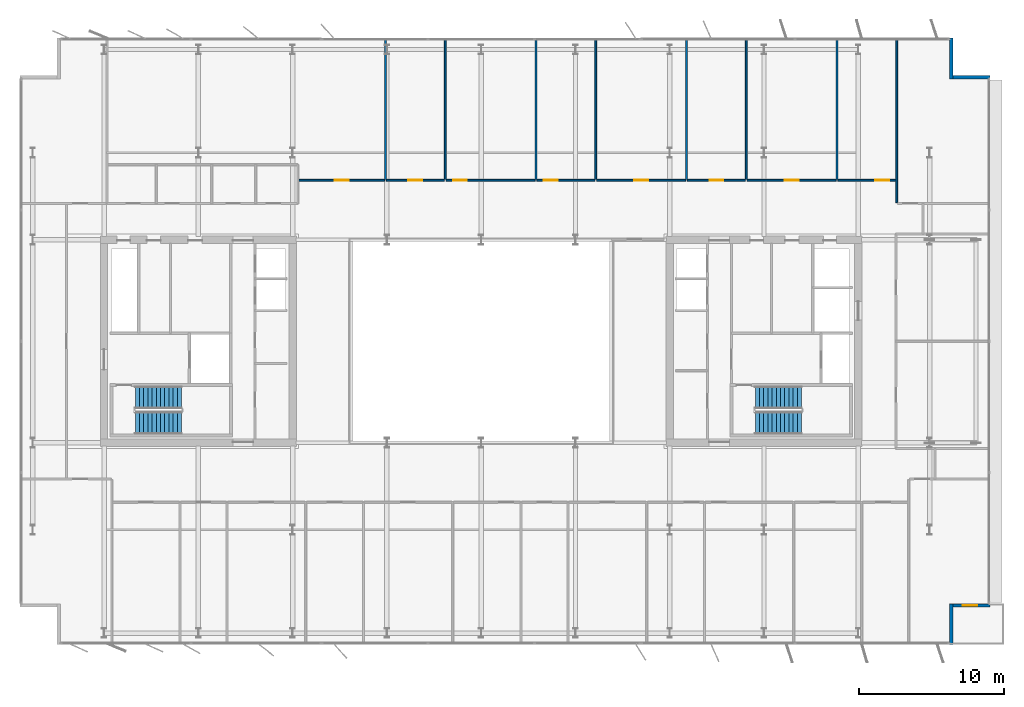
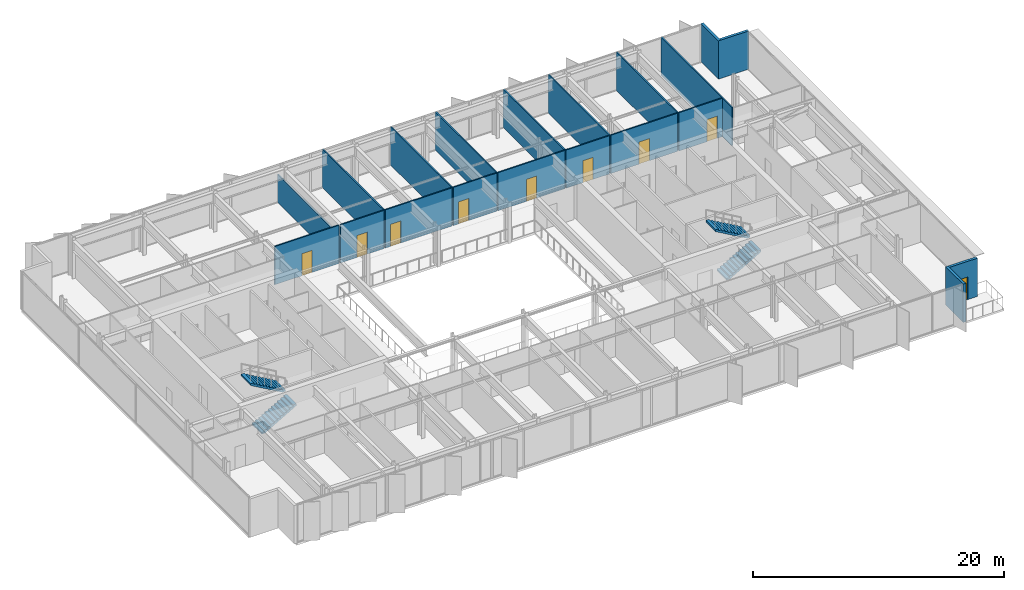
# One storey, part 16 of 20: 20 walls, 9 doors, 4 stair flights, 9 openings, 2 elements without a shape of their own.
"""IFC4 building model written with IfcOpenShell, lengths in metres."""

from ifc_helpers import new_model, si_unit, direction, frame, frame_2d, origin, place, context, subcontext, project, spatial, polyline, rectangle, outline, extrude, material, layer, layer_set, type_object, element, fill, aggregate, save


model = new_model("IFC4")

# Units and contexts
model_context = context("Model", 3, precision=1e-05, world=origin(), true_north=direction((0.0, 1.0)))
body_context = subcontext(model_context, "Body", "Model", "MODEL_VIEW")
ifc_project = project(units=[si_unit("LENGTHUNIT", "METRE"), si_unit("AREAUNIT", "SQUARE_METRE"), si_unit("VOLUMEUNIT", "CUBIC_METRE"), si_unit("PLANEANGLEUNIT", "RADIAN"), si_unit("MASSUNIT", "GRAM", prefix="KILO")], contexts=[model_context])

# Site, building, storey
site_placement = place(None, origin())
site = spatial("IfcSite", under=ifc_project, at=site_placement, CompositionType="ELEMENT")
building_placement = place(site_placement, origin())
building = spatial("IfcBuilding", under=site, at=building_placement, Name="Putna Gate Headquarters", CompositionType="ELEMENT")
storey_placement = place(building_placement, frame((0.0, 0.0, 306.39990234375)))
storey = spatial("IfcBuildingStorey", under=building, at=storey_placement, Name="L77", CompositionType="ELEMENT", Elevation=306.39990234375)

# Walls
ifc_material_1 = material(Name="Precast concrete C40/50", Category="concrete")
ifc_layer_1 = layer(ifc_material_1, 0.239990234375)
ifc_layer_set_1 = layer_set([ifc_layer_1], Name="Precast concrete C40/50")
wall_type_1 = type_object("IfcWallType", Name="WALL-EXT-TERR-240", PredefinedType="STANDARD", material=ifc_layer_set_1)
wall_1_placement = place(storey_placement, frame((71.419921875, 46.89990234375, 0.0), z_axis=(0.0, 0.0, 1.0), x_axis=(0.0, -1.0, 0.0)))
element("IfcWall", 1, at=wall_1_placement, inside=storey, type_object=wall_type_1, Name="L77 Corner Notch Return Wall NE-V", PredefinedType="STANDARD", context=body_context, shape_type="SweptSolid", body=[
    extrude(rectangle(XDim=2.7998046875, YDim=0.239990234375, at=frame_2d((1.39990234375, 0.0))), origin(), (0.0, 0.0, 1.0), 3.72021484375),
])
wall_2_placement = place(storey_placement, frame((71.300048828125, 44.219970703125, 0.0), z_axis=(0.0, 0.0, 1.0), x_axis=(1.0, 0.0, 0.0)))
element("IfcWall", 2, at=wall_2_placement, inside=storey, type_object=wall_type_1, Name="L77 Corner Notch Return Wall NE-H", PredefinedType="STANDARD", context=body_context, shape_type="SweptSolid", body=[
    extrude(rectangle(XDim=2.800048828125, YDim=0.239990234375, at=frame_2d((1.39990234375, 0.0))), origin(), (0.0, 0.0, 1.0), 3.72021484375),
])
wall_3_placement = place(storey_placement, frame((71.419921875, 7.89990234375, 0.0), z_axis=(0.0, 0.0, 1.0), x_axis=(0.0, -1.0, 0.0)))
element("IfcWall", 3, at=wall_3_placement, inside=storey, type_object=wall_type_1, Name="L77 Corner Notch Return Wall SE-V", PredefinedType="STANDARD", context=body_context, shape_type="SweptSolid", body=[
    extrude(rectangle(XDim=2.7998046875, YDim=0.239990234375, at=frame_2d((1.39990234375, 0.0))), origin(), (0.0, 0.0, 1.0), 3.72021484375),
])

# Wall, opening, door
wall_4_placement = place(storey_placement, frame((74.10009765625, 7.780029296875, 0.0), z_axis=(0.0, 0.0, 1.0), x_axis=(-1.0, 0.0, 0.0)))
wall_4 = element("IfcWall", 4, at=wall_4_placement, inside=storey, type_object=wall_type_1, Name="L77 Corner Notch Return Wall SE-H", PredefinedType="STANDARD", context=body_context, shape_type="SweptSolid", body=[
    extrude(rectangle(XDim=2.800048828125, YDim=0.239990234375, at=frame_2d((1.39990234375, 0.0))), origin(), (0.0, 0.0, 1.0), 3.72021484375),
])
opening_1_placement = place(wall_4_placement, frame((0.89990234375, 0.0, 0.0)))
opening_1 = element("IfcOpeningElement", 5, at=opening_1_placement, cuts=wall_4, Name="Opening TRD-1", PredefinedType="OPENING", context=body_context, shape_type="SweptSolid", body=[
    extrude(rectangle(XDim=1.0, YDim=2.199951171875, at=frame_2d((0.5, 1.10009765625))), frame((0.0, 0.1298828125, 0.0), z_axis=(0.0, -1.0, 0.0), x_axis=(1.0, 0.0, 0.0)), (0.0, 0.0, 1.0), 0.260009765625),
])
ifc_material_2 = material(Name="Thermally broken bronze glazed terrace door")
door_type_1 = type_object("IfcDoorType", Name="DOOR-TERR-EXT-1000", OperationType="NOTDEFINED", PredefinedType="DOOR", material=ifc_material_2)
door_1_placement = place(opening_1_placement, origin())
door_1 = element("IfcDoor", 6, at=door_1_placement, inside=storey, type_object=door_type_1, Name="L77 Spiral Sky Terrace Door SE", OperationType="SINGLE_SWING_RIGHT", OverallHeight=2.199951171875, OverallWidth=1.0, PredefinedType="DOOR", context=body_context, shape_type="SweptSolid", body=[
    extrude(rectangle(XDim=1.0, YDim=2.199951171875, at=frame_2d((0.5, 1.10009765625))), frame((0.0, 0.02490234375, 0.0), z_axis=(0.0, -1.0, 0.0), x_axis=(1.0, 0.0, 0.0)), (0.0, 0.0, 1.0), 0.050048828125),
])
fill(opening_1, door_1)

# Walls
ifc_material_3 = material(Name="Acoustic gypsum board on metal stud")
ifc_layer_2 = layer(ifc_material_3, 0.1201171875)
ifc_layer_set_2 = layer_set([ifc_layer_2], Name="Acoustic gypsum board on metal stud")
wall_type_2 = type_object("IfcWallType", Name="WALL-PART-120", PredefinedType="PARTITIONING", material=ifc_layer_set_2)
wall_5_placement = place(storey_placement, frame((32.39990234375, 37.159912109375, 0.0), z_axis=(0.0, 0.0, 1.0), x_axis=(0.0, 1.0, 0.0)))
element("IfcWall", 7, at=wall_5_placement, inside=storey, type_object=wall_type_2, Name="L77 Interior Wall PART-L77-NB-DIV-02", PredefinedType="PARTITIONING", context=body_context, shape_type="SweptSolid", body=[
    extrude(rectangle(XDim=9.719970703125, YDim=0.1201171875, at=frame_2d((4.85986328125, 0.0))), origin(), (0.0, 0.0, 1.0), 2.712158203125),
])
for number, where, z_axis, x_axis, name in (
    (8, (36.521484375, 37.159912109375, 0.0), (0.0, 0.0, 1.0), (0.0, 1.0, 0.0), "L77 Interior Wall PART-L77-NB-DIV-03"),
    (9, (42.780029296875, 37.159912109375, 0.0), (0.0, 0.0, 1.0), (0.0, 1.0, 0.0), "L77 Interior Wall PART-L77-NB-DIV-04"),
    (10, (46.901611328125, 37.159912109375, 0.0), (0.0, 0.0, 1.0), (0.0, 1.0, 0.0), "L77 Interior Wall PART-L77-NB-DIV-05"),
    (11, (53.159912109375, 37.159912109375, 0.0), (0.0, 0.0, 1.0), (0.0, 1.0, 0.0), "L77 Interior Wall PART-L77-NB-DIV-06"),
    (12, (57.281494140625, 37.159912109375, 0.0), (0.0, 0.0, 1.0), (0.0, 1.0, 0.0), "L77 Interior Wall PART-L77-NB-DIV-07"),
    (13, (63.5400390625, 37.159912109375, 0.0), (0.0, 0.0, 1.0), (0.0, 1.0, 0.0), "L77 Interior Wall PART-L77-NB-DIV-08"),
):
    element("IfcWall", number, at=place(storey_placement, frame(where, z_axis=z_axis, x_axis=x_axis)), inside=storey, type_object=wall_type_2, Name=name, PredefinedType="PARTITIONING", context=body_context, shape_type="SweptSolid", body=[
        extrude(rectangle(XDim=9.719970703125, YDim=0.1201171875, at=frame_2d((4.85986328125, 0.0))), origin(), (0.0, 0.0, 1.0), 3.72021484375),
    ])
wall_6_placement = place(storey_placement, frame((67.66162109375, 35.56005859375, 0.0), z_axis=(0.0, 0.0, 1.0), x_axis=(0.0, 1.0, 0.0)))
element("IfcWall", 14, at=wall_6_placement, inside=storey, type_object=wall_type_2, Name="L77 Interior Wall PART-L77-NB-DIV-09", PredefinedType="PARTITIONING", context=body_context, shape_type="SweptSolid", body=[
    extrude(rectangle(XDim=11.31982421875, YDim=0.1201171875, at=frame_2d((5.659912109375, 0.0))), origin(), (0.0, 0.0, 1.0), 3.72021484375),
])

# Wall, opening, door
ifc_material_4 = material(Name="Fire-rated gypsum board on metal stud")
ifc_layer_3 = layer(ifc_material_4, 0.1201171875)
ifc_layer_set_3 = layer_set([ifc_layer_3], Name="Fire-rated gypsum board on metal stud")
wall_type_3 = type_object("IfcWallType", Name="WALL-PART-120-RATED", PredefinedType="PARTITIONING", material=ifc_layer_set_3)
wall_7_placement = place(storey_placement, frame((26.419921875, 37.10009765625, 0.0), z_axis=(0.0, 0.0, 1.0), x_axis=(1.0, 0.0, 0.0)))
wall_7 = element("IfcWall", 15, at=wall_7_placement, inside=storey, type_object=wall_type_3, Name="L77 Interior Wall PART-L77-NB-CW-02", PredefinedType="PARTITIONING", context=body_context, shape_type="SweptSolid", body=[
    extrude(rectangle(XDim=5.920166015625, YDim=0.1201171875, at=frame_2d((2.9599609375, 0.0))), origin(), (0.0, 0.0, 1.0), 3.72021484375),
])
opening_2_placement = place(wall_7_placement, frame((2.485107421875, 0.0, 0.0)))
opening_2 = element("IfcOpeningElement", 16, at=opening_2_placement, cuts=wall_7, Name="Opening FD-95", PredefinedType="OPENING", context=body_context, shape_type="SweptSolid", body=[
    extrude(rectangle(XDim=0.949951171875, YDim=2.14990234375, at=frame_2d((0.47509765625, 1.074951171875))), frame((0.0, 0.070068359375, 0.0), z_axis=(0.0, -1.0, 0.0), x_axis=(1.0, 0.0, 0.0)), (0.0, 0.0, 1.0), 0.14013671875),
])
ifc_material_5 = material(Name="Acoustic timber fire door", Category="wood")
door_type_2 = type_object("IfcDoorType", Name="DOOR-FIRE-950", OperationType="NOTDEFINED", PredefinedType="DOOR", material=ifc_material_5)
door_2_placement = place(opening_2_placement, origin())
door_2 = element("IfcDoor", 17, at=door_2_placement, inside=storey, type_object=door_type_2, Name="L77 Primary Open Office Workplace Door", OperationType="SINGLE_SWING_LEFT", OverallHeight=2.14990234375, OverallWidth=0.949951171875, PredefinedType="DOOR", context=body_context, shape_type="SweptSolid", body=[
    extrude(rectangle(XDim=0.949951171875, YDim=2.14990234375, at=frame_2d((0.47509765625, 1.074951171875))), frame((0.0, 0.02490234375, 0.0), z_axis=(0.0, -1.0, 0.0), x_axis=(1.0, 0.0, 0.0)), (0.0, 0.0, 1.0), 0.050048828125),
])
fill(opening_2, door_2)

wall_8_placement = place(storey_placement, frame((32.4599609375, 37.10009765625, 0.0), z_axis=(0.0, 0.0, 1.0), x_axis=(1.0, 0.0, 0.0)))
wall_8 = element("IfcWall", 18, at=wall_8_placement, inside=storey, type_object=wall_type_3, Name="L77 Interior Wall PART-L77-NB-CW-03", PredefinedType="PARTITIONING", context=body_context, shape_type="SweptSolid", body=[
    extrude(rectangle(XDim=4.00146484375, YDim=0.1201171875, at=frame_2d((2.000732421875, 0.0))), origin(), (0.0, 0.0, 1.0), 3.72021484375),
])
opening_3_placement = place(wall_8_placement, frame((1.52587890625, 0.0, 0.0)))
opening_3 = element("IfcOpeningElement", 19, at=opening_3_placement, cuts=wall_8, Name="Opening FD-95", PredefinedType="OPENING", context=body_context, shape_type="SweptSolid", body=[
    extrude(rectangle(XDim=0.949951171875, YDim=2.14990234375, at=frame_2d((0.47509765625, 1.074951171875))), frame((0.0, 0.070068359375, 0.0), z_axis=(0.0, -1.0, 0.0), x_axis=(1.0, 0.0, 0.0)), (0.0, 0.0, 1.0), 0.14013671875),
])
door_3_placement = place(opening_3_placement, origin())
door_3 = element("IfcDoor", 20, at=door_3_placement, inside=storey, type_object=door_type_2, Name="L77 Cellular Office 8 Door", OperationType="SINGLE_SWING_RIGHT", OverallHeight=2.14990234375, OverallWidth=0.949951171875, PredefinedType="DOOR", context=body_context, shape_type="SweptSolid", body=[
    extrude(rectangle(XDim=0.949951171875, YDim=2.14990234375, at=frame_2d((0.47509765625, 1.074951171875))), frame((0.0, 0.02490234375, 0.0), z_axis=(0.0, -1.0, 0.0), x_axis=(1.0, 0.0, 0.0)), (0.0, 0.0, 1.0), 0.050048828125),
])
fill(opening_3, door_3)

wall_9_placement = place(storey_placement, frame((36.58154296875, 37.10009765625, 0.0), z_axis=(0.0, 0.0, 1.0), x_axis=(1.0, 0.0, 0.0)))
wall_9 = element("IfcWall", 21, at=wall_9_placement, inside=storey, type_object=wall_type_3, Name="L77 Interior Wall PART-L77-NB-CW-04", PredefinedType="PARTITIONING", context=body_context, shape_type="SweptSolid", body=[
    extrude(rectangle(XDim=6.138427734375, YDim=0.1201171875, at=frame_2d((3.0693359375, 0.0))), origin(), (0.0, 0.0, 1.0), 3.72021484375),
])
opening_4_placement = place(wall_9_placement, frame((0.47998046875, 0.0, 0.0)))
opening_4 = element("IfcOpeningElement", 22, at=opening_4_placement, cuts=wall_9, Name="Opening FD-95", PredefinedType="OPENING", context=body_context, shape_type="SweptSolid", body=[
    extrude(rectangle(XDim=0.949951171875, YDim=2.14990234375, at=frame_2d((0.47509765625, 1.074951171875))), frame((0.0, 0.070068359375, 0.0), z_axis=(0.0, -1.0, 0.0), x_axis=(1.0, 0.0, 0.0)), (0.0, 0.0, 1.0), 0.14013671875),
])
door_4_placement = place(opening_4_placement, origin())
door_4 = element("IfcDoor", 23, at=door_4_placement, inside=storey, type_object=door_type_2, Name="L77 Cellular Office 9 Door", OperationType="SINGLE_SWING_LEFT", OverallHeight=2.14990234375, OverallWidth=0.949951171875, PredefinedType="DOOR", context=body_context, shape_type="SweptSolid", body=[
    extrude(rectangle(XDim=0.949951171875, YDim=2.14990234375, at=frame_2d((0.47509765625, 1.074951171875))), frame((0.0, 0.02490234375, 0.0), z_axis=(0.0, -1.0, 0.0), x_axis=(1.0, 0.0, 0.0)), (0.0, 0.0, 1.0), 0.050048828125),
])
fill(opening_4, door_4)

wall_10_placement = place(storey_placement, frame((42.840087890625, 37.10009765625, 0.0), z_axis=(0.0, 0.0, 1.0), x_axis=(1.0, 0.0, 0.0)))
wall_10 = element("IfcWall", 24, at=wall_10_placement, inside=storey, type_object=wall_type_3, Name="L77 Interior Wall PART-L77-NB-CW-05", PredefinedType="PARTITIONING", context=body_context, shape_type="SweptSolid", body=[
    extrude(rectangle(XDim=4.00146484375, YDim=0.1201171875, at=frame_2d((2.000732421875, 0.0))), origin(), (0.0, 0.0, 1.0), 3.72021484375),
])
opening_5_placement = place(wall_10_placement, frame((0.47998046875, 0.0, 0.0)))
opening_5 = element("IfcOpeningElement", 25, at=opening_5_placement, cuts=wall_10, Name="Opening FD-95", PredefinedType="OPENING", context=body_context, shape_type="SweptSolid", body=[
    extrude(rectangle(XDim=0.949951171875, YDim=2.14990234375, at=frame_2d((0.47509765625, 1.074951171875))), frame((0.0, 0.070068359375, 0.0), z_axis=(0.0, -1.0, 0.0), x_axis=(1.0, 0.0, 0.0)), (0.0, 0.0, 1.0), 0.14013671875),
])
door_5_placement = place(opening_5_placement, origin())
door_5 = element("IfcDoor", 26, at=door_5_placement, inside=storey, type_object=door_type_2, Name="L77 Conference Meeting Room 1 Door", OperationType="SINGLE_SWING_RIGHT", OverallHeight=2.14990234375, OverallWidth=0.949951171875, PredefinedType="DOOR", context=body_context, shape_type="SweptSolid", body=[
    extrude(rectangle(XDim=0.949951171875, YDim=2.14990234375, at=frame_2d((0.47509765625, 1.074951171875))), frame((0.0, 0.02490234375, 0.0), z_axis=(0.0, -1.0, 0.0), x_axis=(1.0, 0.0, 0.0)), (0.0, 0.0, 1.0), 0.050048828125),
])
fill(opening_5, door_5)

wall_11_placement = place(storey_placement, frame((46.96142578125, 37.10009765625, 0.0), z_axis=(0.0, 0.0, 1.0), x_axis=(1.0, 0.0, 0.0)))
wall_11 = element("IfcWall", 27, at=wall_11_placement, inside=storey, type_object=wall_type_3, Name="L77 Interior Wall PART-L77-NB-CW-06", PredefinedType="PARTITIONING", context=body_context, shape_type="SweptSolid", body=[
    extrude(rectangle(XDim=6.138671875, YDim=0.1201171875, at=frame_2d((3.0693359375, 0.0))), origin(), (0.0, 0.0, 1.0), 3.72021484375),
])
opening_6_placement = place(wall_11_placement, frame((2.59423828125, 0.0, 0.0)))
opening_6 = element("IfcOpeningElement", 28, at=opening_6_placement, cuts=wall_11, Name="Opening FD-95", PredefinedType="OPENING", context=body_context, shape_type="SweptSolid", body=[
    extrude(rectangle(XDim=0.949951171875, YDim=2.14990234375, at=frame_2d((0.47509765625, 1.074951171875))), frame((0.0, 0.070068359375, 0.0), z_axis=(0.0, -1.0, 0.0), x_axis=(1.0, 0.0, 0.0)), (0.0, 0.0, 1.0), 0.14013671875),
])
door_6_placement = place(opening_6_placement, origin())
door_6 = element("IfcDoor", 29, at=door_6_placement, inside=storey, type_object=door_type_2, Name="L77 Conference Meeting Room 2 Door", OperationType="SINGLE_SWING_LEFT", OverallHeight=2.14990234375, OverallWidth=0.949951171875, PredefinedType="DOOR", context=body_context, shape_type="SweptSolid", body=[
    extrude(rectangle(XDim=0.949951171875, YDim=2.14990234375, at=frame_2d((0.47509765625, 1.074951171875))), frame((0.0, 0.02490234375, 0.0), z_axis=(0.0, -1.0, 0.0), x_axis=(1.0, 0.0, 0.0)), (0.0, 0.0, 1.0), 0.050048828125),
])
fill(opening_6, door_6)

wall_12_placement = place(storey_placement, frame((53.219970703125, 37.10009765625, 0.0), z_axis=(0.0, 0.0, 1.0), x_axis=(1.0, 0.0, 0.0)))
wall_12 = element("IfcWall", 30, at=wall_12_placement, inside=storey, type_object=wall_type_3, Name="L77 Interior Wall PART-L77-NB-CW-07", PredefinedType="PARTITIONING", context=body_context, shape_type="SweptSolid", body=[
    extrude(rectangle(XDim=4.00146484375, YDim=0.1201171875, at=frame_2d((2.000732421875, 0.0))), origin(), (0.0, 0.0, 1.0), 3.72021484375),
])
opening_7_placement = place(wall_12_placement, frame((1.525634765625, 0.0, 0.0)))
opening_7 = element("IfcOpeningElement", 31, at=opening_7_placement, cuts=wall_12, Name="Opening FD-95", PredefinedType="OPENING", context=body_context, shape_type="SweptSolid", body=[
    extrude(rectangle(XDim=0.949951171875, YDim=2.14990234375, at=frame_2d((0.47509765625, 1.074951171875))), frame((0.0, 0.070068359375, 0.0), z_axis=(0.0, -1.0, 0.0), x_axis=(1.0, 0.0, 0.0)), (0.0, 0.0, 1.0), 0.14013671875),
])
door_7_placement = place(opening_7_placement, origin())
door_7 = element("IfcDoor", 32, at=door_7_placement, inside=storey, type_object=door_type_2, Name="L77 Conference Meeting Room 3 Door", OperationType="SINGLE_SWING_RIGHT", OverallHeight=2.14990234375, OverallWidth=0.949951171875, PredefinedType="DOOR", context=body_context, shape_type="SweptSolid", body=[
    extrude(rectangle(XDim=0.949951171875, YDim=2.14990234375, at=frame_2d((0.47509765625, 1.074951171875))), frame((0.0, 0.02490234375, 0.0), z_axis=(0.0, -1.0, 0.0), x_axis=(1.0, 0.0, 0.0)), (0.0, 0.0, 1.0), 0.050048828125),
])
fill(opening_7, door_7)

wall_13_placement = place(storey_placement, frame((57.341552734375, 37.10009765625, 0.0), z_axis=(0.0, 0.0, 1.0), x_axis=(1.0, 0.0, 0.0)))
wall_13 = element("IfcWall", 33, at=wall_13_placement, inside=storey, type_object=wall_type_3, Name="L77 Interior Wall PART-L77-NB-CW-08", PredefinedType="PARTITIONING", context=body_context, shape_type="SweptSolid", body=[
    extrude(rectangle(XDim=6.138427734375, YDim=0.1201171875, at=frame_2d((3.0693359375, 0.0))), origin(), (0.0, 0.0, 1.0), 3.72021484375),
])
opening_8_placement = place(wall_13_placement, frame((2.59423828125, 0.0, 0.0)))
opening_8 = element("IfcOpeningElement", 34, at=opening_8_placement, cuts=wall_13, Name="Opening FD-95", PredefinedType="OPENING", context=body_context, shape_type="SweptSolid", body=[
    extrude(rectangle(XDim=0.949951171875, YDim=2.14990234375, at=frame_2d((0.47509765625, 1.074951171875))), frame((0.0, 0.070068359375, 0.0), z_axis=(0.0, -1.0, 0.0), x_axis=(1.0, 0.0, 0.0)), (0.0, 0.0, 1.0), 0.14013671875),
])
door_8_placement = place(opening_8_placement, origin())
door_8 = element("IfcDoor", 35, at=door_8_placement, inside=storey, type_object=door_type_2, Name="L77 Conference Meeting Room 4 Door", OperationType="SINGLE_SWING_LEFT", OverallHeight=2.14990234375, OverallWidth=0.949951171875, PredefinedType="DOOR", context=body_context, shape_type="SweptSolid", body=[
    extrude(rectangle(XDim=0.949951171875, YDim=2.14990234375, at=frame_2d((0.47509765625, 1.074951171875))), frame((0.0, 0.02490234375, 0.0), z_axis=(0.0, -1.0, 0.0), x_axis=(1.0, 0.0, 0.0)), (0.0, 0.0, 1.0), 0.050048828125),
])
fill(opening_8, door_8)

wall_14_placement = place(storey_placement, frame((63.60009765625, 37.10009765625, 0.0), z_axis=(0.0, 0.0, 1.0), x_axis=(1.0, 0.0, 0.0)))
wall_14 = element("IfcWall", 36, at=wall_14_placement, inside=storey, type_object=wall_type_3, Name="L77 Interior Wall PART-L77-NB-CW-09", PredefinedType="PARTITIONING", context=body_context, shape_type="SweptSolid", body=[
    extrude(rectangle(XDim=4.00146484375, YDim=0.1201171875, at=frame_2d((2.000732421875, 0.0))), origin(), (0.0, 0.0, 1.0), 3.72021484375),
])
opening_9_placement = place(wall_14_placement, frame((2.571533203125, 0.0, 0.0)))
opening_9 = element("IfcOpeningElement", 37, at=opening_9_placement, cuts=wall_14, Name="Opening FD-95", PredefinedType="OPENING", context=body_context, shape_type="SweptSolid", body=[
    extrude(rectangle(XDim=0.949951171875, YDim=2.14990234375, at=frame_2d((0.47509765625, 1.074951171875))), frame((0.0, 0.070068359375, 0.0), z_axis=(0.0, -1.0, 0.0), x_axis=(1.0, 0.0, 0.0)), (0.0, 0.0, 1.0), 0.14013671875),
])
door_9_placement = place(opening_9_placement, origin())
door_9 = element("IfcDoor", 38, at=door_9_placement, inside=storey, type_object=door_type_2, Name="L77 Conference Meeting Room 5 Door", OperationType="SINGLE_SWING_RIGHT", OverallHeight=2.14990234375, OverallWidth=0.949951171875, PredefinedType="DOOR", context=body_context, shape_type="SweptSolid", body=[
    extrude(rectangle(XDim=0.949951171875, YDim=2.14990234375, at=frame_2d((0.47509765625, 1.074951171875))), frame((0.0, 0.02490234375, 0.0), z_axis=(0.0, -1.0, 0.0), x_axis=(1.0, 0.0, 0.0)), (0.0, 0.0, 1.0), 0.050048828125),
])
fill(opening_9, door_9)

# Stair, stair flights
ifc_material_6 = material(Name="Concrete C40/50", Category="concrete")
stair_type_1 = type_object("IfcStairType", Name="STAIR-ST1", PredefinedType="HALF_TURN_STAIR", material=ifc_material_6)
stair_1_placement = place(storey_placement, origin())
stair_1 = element("IfcStair", 39, at=stair_1_placement, inside=storey, type_object=stair_type_1, Name="L77 West Core Exit Stair ST1", PredefinedType="HALF_TURN_STAIR")
stair_flight_type_1 = type_object("IfcStairFlightType", Name="FLIGHT-ST1", PredefinedType="STRAIGHT", material=ifc_material_6)
stair_flight_1_placement = place(storey_placement, frame((15.14990234375, 20.375, 0.0), z_axis=(0.0, 0.0, 1.0), x_axis=(1.0, 0.0, 0.0)))
stair_flight_1 = element("IfcStairFlight", 40, at=stair_flight_1_placement, type_object=stair_flight_type_1, Name="ST1 flight 1", NumberOfRisers=12, NumberOfTreads=11, PredefinedType="STRAIGHT", RiserHeight=0.166666667, TreadLength=0.29, context=body_context, shape_type="SweptSolid", body=[
    extrude(outline(polyline([(0.0, 0.0), (0.0, 0.166748046875), (0.2900390625, 0.166748046875), (0.2900390625, 0.333251953125), (0.580078125, 0.333251953125), (0.580078125, 0.5), (0.8701171875, 0.5), (0.8701171875, 0.666748046875), (1.159912109375, 0.666748046875), (1.159912109375, 0.833251953125), (1.449951171875, 0.833251953125), (1.449951171875, 1.0), (1.739990234375, 1.0), (1.739990234375, 1.166748046875), (2.030029296875, 1.166748046875), (2.030029296875, 1.333251953125), (2.320068359375, 1.333251953125), (2.320068359375, 1.5), (2.610107421875, 1.5), (2.610107421875, 1.666748046875), (2.89990234375, 1.666748046875), (2.89990234375, 1.833251953125), (3.18994140625, 1.833251953125), (3.18994140625, 2.0), (3.18994140625, 1.660400390625), (0.30078125, 0.0), (0.0, 0.0)])), frame((0.0, 0.77490234375, 0.0), z_axis=(0.0, -1.0, 0.0), x_axis=(1.0, 0.0, 0.0)), (0.0, 0.0, 1.0), 1.550048828125),
])
stair_flight_2_placement = place(storey_placement, frame((18.340087890625, 22.125, 2.0), z_axis=(0.0, 0.0, 1.0), x_axis=(-1.0, 0.0, 0.0)))
stair_flight_2 = element("IfcStairFlight", 41, at=stair_flight_2_placement, type_object=stair_flight_type_1, Name="ST1 flight 2", NumberOfRisers=12, NumberOfTreads=11, PredefinedType="STRAIGHT", RiserHeight=0.166666667, TreadLength=0.29, context=body_context, shape_type="SweptSolid", body=[
    extrude(outline(polyline([(0.0, 0.0), (0.0, 0.166748046875), (0.2900390625, 0.166748046875), (0.2900390625, 0.333251953125), (0.580078125, 0.333251953125), (0.580078125, 0.5), (0.8701171875, 0.5), (0.8701171875, 0.666748046875), (1.159912109375, 0.666748046875), (1.159912109375, 0.833251953125), (1.449951171875, 0.833251953125), (1.449951171875, 1.0), (1.739990234375, 1.0), (1.739990234375, 1.166748046875), (2.030029296875, 1.166748046875), (2.030029296875, 1.333251953125), (2.320068359375, 1.333251953125), (2.320068359375, 1.5), (2.610107421875, 1.5), (2.610107421875, 1.666748046875), (2.89990234375, 1.666748046875), (2.89990234375, 1.833251953125), (3.18994140625, 1.833251953125), (3.18994140625, 2.0), (3.18994140625, 1.660400390625), (0.30078125, 0.0), (0.0, 0.0)])), frame((0.0, 0.77490234375, 0.0), z_axis=(0.0, -1.0, 0.0), x_axis=(1.0, 0.0, 0.0)), (0.0, 0.0, 1.0), 1.550048828125),
])
aggregate(stair_1, [stair_flight_1, stair_flight_2])

stair_type_2 = type_object("IfcStairType", Name="STAIR-ST2", PredefinedType="HALF_TURN_STAIR", material=ifc_material_6)
stair_2_placement = place(storey_placement, origin())
stair_2 = element("IfcStair", 42, at=stair_2_placement, inside=storey, type_object=stair_type_2, Name="L77 East Core Exit Stair ST2", PredefinedType="HALF_TURN_STAIR")
stair_flight_type_2 = type_object("IfcStairFlightType", Name="FLIGHT-ST2", PredefinedType="STRAIGHT", material=ifc_material_6)
stair_flight_3_placement = place(storey_placement, frame((57.89990234375, 20.375, 0.0), z_axis=(0.0, 0.0, 1.0), x_axis=(1.0, 0.0, 0.0)))
stair_flight_3 = element("IfcStairFlight", 43, at=stair_flight_3_placement, type_object=stair_flight_type_2, Name="ST2 flight 1", NumberOfRisers=12, NumberOfTreads=11, PredefinedType="STRAIGHT", RiserHeight=0.166666667, TreadLength=0.29, context=body_context, shape_type="SweptSolid", body=[
    extrude(outline(polyline([(0.0, 0.0), (0.0, 0.166748046875), (0.2900390625, 0.166748046875), (0.2900390625, 0.333251953125), (0.580078125, 0.333251953125), (0.580078125, 0.5), (0.8701171875, 0.5), (0.8701171875, 0.666748046875), (1.159912109375, 0.666748046875), (1.159912109375, 0.833251953125), (1.449951171875, 0.833251953125), (1.449951171875, 1.0), (1.739990234375, 1.0), (1.739990234375, 1.166748046875), (2.030029296875, 1.166748046875), (2.030029296875, 1.333251953125), (2.320068359375, 1.333251953125), (2.320068359375, 1.5), (2.610107421875, 1.5), (2.610107421875, 1.666748046875), (2.89990234375, 1.666748046875), (2.89990234375, 1.833251953125), (3.18994140625, 1.833251953125), (3.18994140625, 2.0), (3.18994140625, 1.660400390625), (0.30078125, 0.0), (0.0, 0.0)])), frame((0.0, 0.77490234375, 0.0), z_axis=(0.0, -1.0, 0.0), x_axis=(1.0, 0.0, 0.0)), (0.0, 0.0, 1.0), 1.550048828125),
])
stair_flight_4_placement = place(storey_placement, frame((61.090087890625, 22.125, 2.0), z_axis=(0.0, 0.0, 1.0), x_axis=(-1.0, 0.0, 0.0)))
stair_flight_4 = element("IfcStairFlight", 44, at=stair_flight_4_placement, type_object=stair_flight_type_2, Name="ST2 flight 2", NumberOfRisers=12, NumberOfTreads=11, PredefinedType="STRAIGHT", RiserHeight=0.166666667, TreadLength=0.29, context=body_context, shape_type="SweptSolid", body=[
    extrude(outline(polyline([(0.0, 0.0), (0.0, 0.166748046875), (0.2900390625, 0.166748046875), (0.2900390625, 0.333251953125), (0.580078125, 0.333251953125), (0.580078125, 0.5), (0.8701171875, 0.5), (0.8701171875, 0.666748046875), (1.159912109375, 0.666748046875), (1.159912109375, 0.833251953125), (1.449951171875, 0.833251953125), (1.449951171875, 1.0), (1.739990234375, 1.0), (1.739990234375, 1.166748046875), (2.030029296875, 1.166748046875), (2.030029296875, 1.333251953125), (2.320068359375, 1.333251953125), (2.320068359375, 1.5), (2.610107421875, 1.5), (2.610107421875, 1.666748046875), (2.89990234375, 1.666748046875), (2.89990234375, 1.833251953125), (3.18994140625, 1.833251953125), (3.18994140625, 2.0), (3.18994140625, 1.660400390625), (0.30078125, 0.0), (0.0, 0.0)])), frame((0.0, 0.77490234375, 0.0), z_axis=(0.0, -1.0, 0.0), x_axis=(1.0, 0.0, 0.0)), (0.0, 0.0, 1.0), 1.550048828125),
])
aggregate(stair_2, [stair_flight_3, stair_flight_4])

save(model, "model.ifc")
